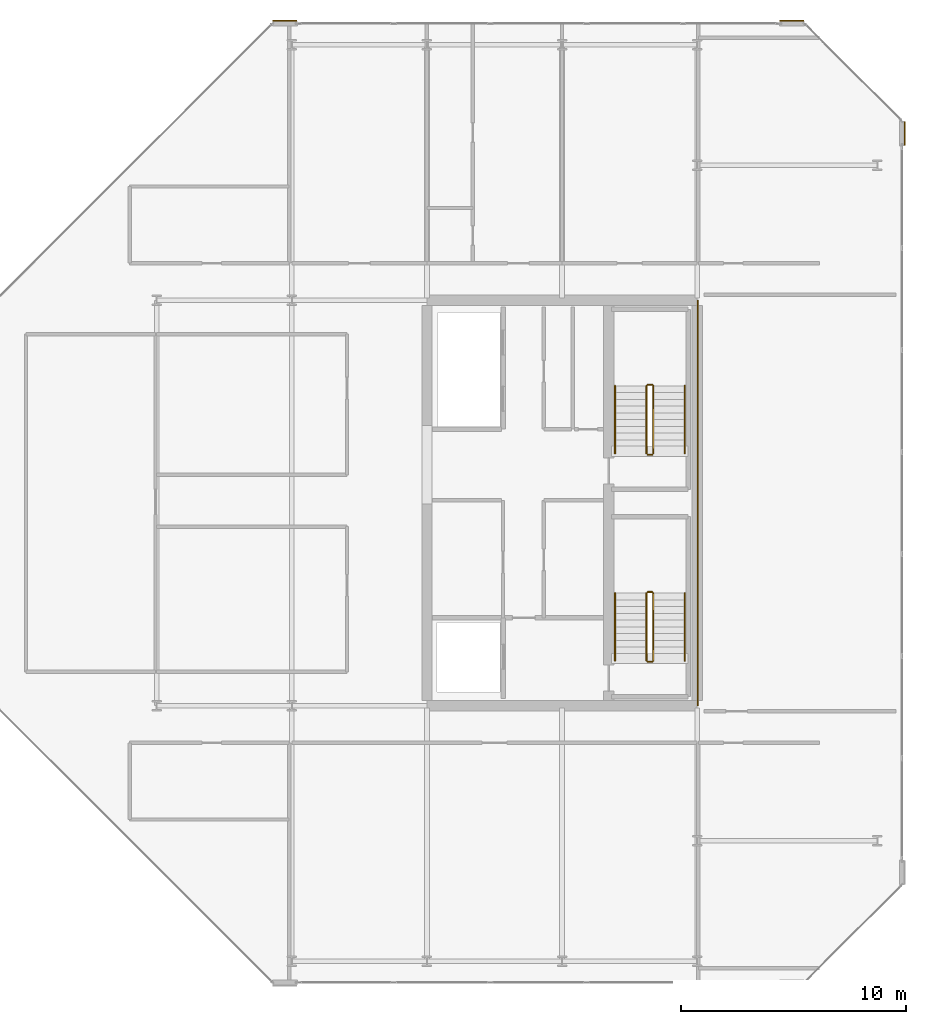
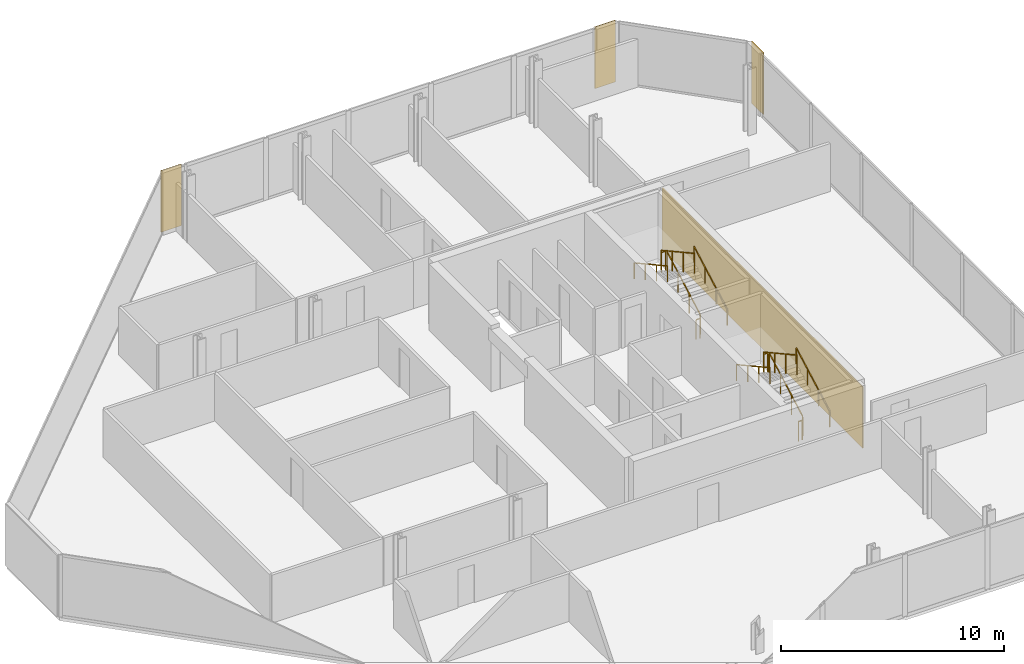
# One storey, part 17 of 17: 12 railings, 4 coverings.
"""IFC4 building model written with IfcOpenShell, lengths in metres."""

from ifc_helpers import new_model, si_unit, direction, frame, origin, origin_2d, place, context, subcontext, project, spatial, rectangle, extrude, material, layer, layer_set, type_object, element, save


model = new_model("IFC4")

# Units and contexts
model_context = context("Model", 3, precision=1e-05, world=origin(), true_north=direction((0.0, 1.0)))
body_context = subcontext(model_context, "Body", "Model", "MODEL_VIEW")
ifc_project = project(units=[si_unit("LENGTHUNIT", "METRE"), si_unit("AREAUNIT", "SQUARE_METRE"), si_unit("VOLUMEUNIT", "CUBIC_METRE"), si_unit("PLANEANGLEUNIT", "RADIAN"), si_unit("MASSUNIT", "GRAM", prefix="KILO")], contexts=[model_context])

# Site, building, storey
site_placement = place(None, origin())
site = spatial("IfcSite", under=ifc_project, at=site_placement, CompositionType="ELEMENT")
building_placement = place(site_placement, origin())
building = spatial("IfcBuilding", under=site, at=building_placement, Name="Tanjung Sevakor Pilgrim Tower", CompositionType="ELEMENT")
storey_placement = place(building_placement, frame((0.0, 0.0, 264.330078125)))
storey = spatial("IfcBuildingStorey", under=building, at=storey_placement, Name="L74", CompositionType="ELEMENT", Elevation=264.330078125)

# Coverings
ifc_material_1 = material(Name="Reconstructed Limestone Cladding", Category="masonry")
ifc_layer = layer(ifc_material_1, 0.044921875)
ifc_layer_set = layer_set([ifc_layer], Name="COV-CLAD-LIMESTONE")
covering_type = type_object("IfcCoveringType", Name="COV-CLAD-LIMESTONE", PredefinedType="CLADDING", material=ifc_layer_set)
for number, where, z_axis, x_axis, name in (
    (1, (99.222412109375, 50.00439453125, 0.019775390625), (0.0, 0.0, 1.0), (0.0, 1.0, 0.0), "L74 Warm Limestone Wall Cladding EW-CRN2-L74-EAST-2-1"),
    (2, (94.204345703125, 55.0224609375, 0.019775390625), (0.0, 0.0, 1.0), (-1.0, 0.0, 0.0), "L74 Warm Limestone Wall Cladding EW-CRN1-L74-EAST-4-1"),
    (3, (71.695556640625, 55.0224609375, 0.019775390625), (0.0, 0.0, 1.0), (-1.0, 0.0, 0.0), "L74 Warm Limestone Wall Cladding EW-CRN2-L74-EAST-4-1"),
):
    element("IfcCovering", number, at=place(storey_placement, frame(where, z_axis=z_axis, x_axis=x_axis)), inside=storey, type_object=covering_type, Name=name, PredefinedType="CLADDING", context=body_context, shape_type="SweptSolid", body=[
        extrude(rectangle(XDim=1.06005859375, YDim=0.044921875, at=origin_2d()), origin(), (0.0, 0.0, 1.0), 3.3701171875),
    ])
covering_placement = place(storey_placement, frame((90.0224609375, 33.60009765625, 0.019775390625), z_axis=(0.0, 0.0, 1.0), x_axis=(1.0, 0.0, 0.0)))
element("IfcCovering", 4, at=covering_placement, inside=storey, type_object=covering_type, Name="L74 Expressed Core Warm Limestone Cladding E", PredefinedType="CLADDING", context=body_context, shape_type="SweptSolid", body=[
    extrude(rectangle(XDim=0.044921875, YDim=18.0, at=origin_2d()), origin(), (0.0, 0.0, 1.0), 3.3701171875),
])

# Railings
ifc_material_2 = material(Name="Steel S355J2", Category="steel")
railing_type_1 = type_object("IfcRailingType", Name="RL-STAIR-GUARD", PredefinedType="GUARDRAIL", material=ifc_material_2)
railing_1_placement = place(storey_placement, frame((88.050048828125, 26.60009765625, 0.1650390625)))
element("IfcRailing", 5, at=railing_1_placement, inside=storey, type_object=railing_type_1, Name="L74 TS-E1 stair guard 1", PredefinedType="GUARDRAIL", context=body_context, shape_type="SweptSolid", body=[
    extrude(rectangle(XDim=0.0479, YDim=0.0479), frame((0.0, 0.0, 1.076171875), z_axis=(0.0, 0.876227952683, 0.48189685093), x_axis=(-1.0, 0.0, 0.0)), (0.0, 0.0, 1.0), 3.423828125),
    extrude(rectangle(XDim=0.042, YDim=0.042), origin(), (0.0, 0.0, 1.0), 1.052001953125),
    extrude(rectangle(XDim=0.042, YDim=0.042), frame((0.0, 1.0, 0.550048828125)), (0.0, 0.0, 1.0), 1.052001953125),
    extrude(rectangle(XDim=0.042, YDim=0.042), frame((0.0, 2.0, 1.099853515625)), (0.0, 0.0, 1.0), 1.052001953125),
    extrude(rectangle(XDim=0.042, YDim=0.042), frame((0.0, 3.0, 1.64990234375)), (0.0, 0.0, 1.0), 1.052001953125),
])
railing_2_placement = place(storey_placement, frame((88.0, 29.64990234375, 1.81494140625)))
element("IfcRailing", 6, at=railing_2_placement, inside=storey, type_object=railing_type_1, Name="L74 TS-E1 stair guard 2", PredefinedType="GUARDRAIL", context=body_context, shape_type="SweptSolid", body=[
    extrude(rectangle(XDim=0.0479, YDim=0.0479), frame((0.0, 0.0, 1.076171875), z_axis=(-1.0, 0.0, 0.0), x_axis=(0.0, -1.0, 0.0)), (0.0, 0.0, 1.0), 0.199951171875),
    extrude(rectangle(XDim=0.042, YDim=0.042), origin(), (0.0, 0.0, 1.0), 1.052001953125),
    extrude(rectangle(XDim=0.042, YDim=0.042), frame((-0.199951171875, 0.0, 0.0)), (0.0, 0.0, 1.0), 1.052001953125),
])
railing_3_placement = place(storey_placement, frame((87.75, 29.60009765625, 1.97998046875)))
element("IfcRailing", 7, at=railing_3_placement, inside=storey, type_object=railing_type_1, Name="L74 TS-E1 stair guard 3", PredefinedType="GUARDRAIL", context=body_context, shape_type="SweptSolid", body=[
    extrude(rectangle(XDim=0.0479, YDim=0.0479), frame((0.0, 0.0, 1.076171875), z_axis=(0.0, -0.876227952683, 0.48189685093), x_axis=(1.0, 0.0, 0.0)), (0.0, 0.0, 1.0), 3.423828125),
    extrude(rectangle(XDim=0.042, YDim=0.042), origin(), (0.0, 0.0, 1.0), 1.052001953125),
    extrude(rectangle(XDim=0.042, YDim=0.042), frame((0.0, -1.0, 0.550048828125)), (0.0, 0.0, 1.0), 1.052001953125),
    extrude(rectangle(XDim=0.042, YDim=0.042), frame((0.0, -2.0, 1.099853515625)), (0.0, 0.0, 1.0), 1.052001953125),
    extrude(rectangle(XDim=0.042, YDim=0.042), frame((0.0, -3.0, 1.64990234375)), (0.0, 0.0, 1.0), 1.052001953125),
])
railing_4_placement = place(storey_placement, frame((88.0, 26.550048828125, 0.0)))
element("IfcRailing", 8, at=railing_4_placement, inside=storey, type_object=railing_type_1, Name="L74 TS-E1 stair guard 4", PredefinedType="GUARDRAIL", context=body_context, shape_type="SweptSolid", body=[
    extrude(rectangle(XDim=0.0479, YDim=0.0479), frame((0.0, 0.0, 1.076171875), z_axis=(-1.0, 0.0, 0.0), x_axis=(0.0, -1.0, 0.0)), (0.0, 0.0, 1.0), 0.199951171875),
    extrude(rectangle(XDim=0.042, YDim=0.042), origin(), (0.0, 0.0, 1.0), 1.052001953125),
    extrude(rectangle(XDim=0.042, YDim=0.042), frame((-0.199951171875, 0.0, 0.0)), (0.0, 0.0, 1.0), 1.052001953125),
])
railing_5_placement = place(storey_placement, frame((88.050048828125, 35.800048828125, 0.1650390625)))
element("IfcRailing", 9, at=railing_5_placement, inside=storey, type_object=railing_type_1, Name="L74 TS-E2 stair guard 1", PredefinedType="GUARDRAIL", context=body_context, shape_type="SweptSolid", body=[
    extrude(rectangle(XDim=0.0479, YDim=0.0479), frame((0.0, 0.0, 1.076171875), z_axis=(0.0, 0.876227952683, 0.48189685093), x_axis=(-1.0, 0.0, 0.0)), (0.0, 0.0, 1.0), 3.423828125),
    extrude(rectangle(XDim=0.042, YDim=0.042), origin(), (0.0, 0.0, 1.0), 1.052001953125),
    extrude(rectangle(XDim=0.042, YDim=0.042), frame((0.0, 1.0, 0.550048828125)), (0.0, 0.0, 1.0), 1.052001953125),
    extrude(rectangle(XDim=0.042, YDim=0.042), frame((0.0, 2.0, 1.099853515625)), (0.0, 0.0, 1.0), 1.052001953125),
    extrude(rectangle(XDim=0.042, YDim=0.042), frame((0.0, 3.0, 1.64990234375)), (0.0, 0.0, 1.0), 1.052001953125),
])
railing_6_placement = place(storey_placement, frame((88.0, 38.85009765625, 1.81494140625)))
element("IfcRailing", 10, at=railing_6_placement, inside=storey, type_object=railing_type_1, Name="L74 TS-E2 stair guard 2", PredefinedType="GUARDRAIL", context=body_context, shape_type="SweptSolid", body=[
    extrude(rectangle(XDim=0.0479, YDim=0.0479), frame((0.0, 0.0, 1.076171875), z_axis=(-1.0, 0.0, 0.0), x_axis=(0.0, -1.0, 0.0)), (0.0, 0.0, 1.0), 0.199951171875),
    extrude(rectangle(XDim=0.042, YDim=0.042), origin(), (0.0, 0.0, 1.0), 1.052001953125),
    extrude(rectangle(XDim=0.042, YDim=0.042), frame((-0.199951171875, 0.0, 0.0)), (0.0, 0.0, 1.0), 1.052001953125),
])
railing_7_placement = place(storey_placement, frame((87.75, 38.800048828125, 1.97998046875)))
element("IfcRailing", 11, at=railing_7_placement, inside=storey, type_object=railing_type_1, Name="L74 TS-E2 stair guard 3", PredefinedType="GUARDRAIL", context=body_context, shape_type="SweptSolid", body=[
    extrude(rectangle(XDim=0.0479, YDim=0.0479), frame((0.0, 0.0, 1.076171875), z_axis=(0.0, -0.876227952683, 0.48189685093), x_axis=(1.0, 0.0, 0.0)), (0.0, 0.0, 1.0), 3.423828125),
    extrude(rectangle(XDim=0.042, YDim=0.042), origin(), (0.0, 0.0, 1.0), 1.052001953125),
    extrude(rectangle(XDim=0.042, YDim=0.042), frame((0.0, -1.0, 0.550048828125)), (0.0, 0.0, 1.0), 1.052001953125),
    extrude(rectangle(XDim=0.042, YDim=0.042), frame((0.0, -2.0, 1.099853515625)), (0.0, 0.0, 1.0), 1.052001953125),
    extrude(rectangle(XDim=0.042, YDim=0.042), frame((0.0, -3.0, 1.64990234375)), (0.0, 0.0, 1.0), 1.052001953125),
])
railing_8_placement = place(storey_placement, frame((88.0, 35.75, 0.0)))
element("IfcRailing", 12, at=railing_8_placement, inside=storey, type_object=railing_type_1, Name="L74 TS-E2 stair guard 4", PredefinedType="GUARDRAIL", context=body_context, shape_type="SweptSolid", body=[
    extrude(rectangle(XDim=0.0479, YDim=0.0479), frame((0.0, 0.0, 1.076171875), z_axis=(-1.0, 0.0, 0.0), x_axis=(0.0, -1.0, 0.0)), (0.0, 0.0, 1.0), 0.199951171875),
    extrude(rectangle(XDim=0.042, YDim=0.042), origin(), (0.0, 0.0, 1.0), 1.052001953125),
    extrude(rectangle(XDim=0.042, YDim=0.042), frame((-0.199951171875, 0.0, 0.0)), (0.0, 0.0, 1.0), 1.052001953125),
])
ifc_material_3 = material(Name="Steel S355J2", Category="steel")
railing_type_2 = type_object("IfcRailingType", Name="RL-STAIR-HAND", PredefinedType="HANDRAIL", material=ifc_material_3)
railing_9_placement = place(storey_placement, frame((89.449951171875, 26.60009765625, 0.1650390625)))
element("IfcRailing", 13, at=railing_9_placement, inside=storey, type_object=railing_type_2, Name="L74 TS-E1 stair handrail 1", PredefinedType="HANDRAIL", context=body_context, shape_type="SweptSolid", body=[
    extrude(rectangle(XDim=0.0479, YDim=0.0479), frame((0.0, 0.0, 0.8759765625), z_axis=(0.0, 0.876227952683, 0.48189685093), x_axis=(-1.0, 0.0, 0.0)), (0.0, 0.0, 1.0), 3.423828125),
    extrude(rectangle(XDim=0.042, YDim=0.042), origin(), (0.0, 0.0, 1.0), 0.851806640625),
    extrude(rectangle(XDim=0.042, YDim=0.042), frame((0.0, 1.0, 0.550048828125)), (0.0, 0.0, 1.0), 0.851806640625),
    extrude(rectangle(XDim=0.042, YDim=0.042), frame((0.0, 2.0, 1.099853515625)), (0.0, 0.0, 1.0), 0.851806640625),
    extrude(rectangle(XDim=0.042, YDim=0.042), frame((0.0, 3.0, 1.64990234375)), (0.0, 0.0, 1.0), 0.851806640625),
])
railing_10_placement = place(storey_placement, frame((86.35009765625, 29.60009765625, 1.97998046875)))
element("IfcRailing", 14, at=railing_10_placement, inside=storey, type_object=railing_type_2, Name="L74 TS-E1 stair handrail 2", PredefinedType="HANDRAIL", context=body_context, shape_type="SweptSolid", body=[
    extrude(rectangle(XDim=0.0479, YDim=0.0479), frame((0.0, 0.0, 0.8759765625), z_axis=(0.0, -0.876227952683, 0.48189685093), x_axis=(1.0, 0.0, 0.0)), (0.0, 0.0, 1.0), 3.423828125),
    extrude(rectangle(XDim=0.042, YDim=0.042), origin(), (0.0, 0.0, 1.0), 0.851806640625),
    extrude(rectangle(XDim=0.042, YDim=0.042), frame((0.0, -1.0, 0.550048828125)), (0.0, 0.0, 1.0), 0.851806640625),
    extrude(rectangle(XDim=0.042, YDim=0.042), frame((0.0, -2.0, 1.099853515625)), (0.0, 0.0, 1.0), 0.851806640625),
    extrude(rectangle(XDim=0.042, YDim=0.042), frame((0.0, -3.0, 1.64990234375)), (0.0, 0.0, 1.0), 0.851806640625),
])
railing_11_placement = place(storey_placement, frame((89.449951171875, 35.800048828125, 0.1650390625)))
element("IfcRailing", 15, at=railing_11_placement, inside=storey, type_object=railing_type_2, Name="L74 TS-E2 stair handrail 1", PredefinedType="HANDRAIL", context=body_context, shape_type="SweptSolid", body=[
    extrude(rectangle(XDim=0.0479, YDim=0.0479), frame((0.0, 0.0, 0.8759765625), z_axis=(0.0, 0.876227952683, 0.48189685093), x_axis=(-1.0, 0.0, 0.0)), (0.0, 0.0, 1.0), 3.423828125),
    extrude(rectangle(XDim=0.042, YDim=0.042), origin(), (0.0, 0.0, 1.0), 0.851806640625),
    extrude(rectangle(XDim=0.042, YDim=0.042), frame((0.0, 1.0, 0.550048828125)), (0.0, 0.0, 1.0), 0.851806640625),
    extrude(rectangle(XDim=0.042, YDim=0.042), frame((0.0, 2.0, 1.099853515625)), (0.0, 0.0, 1.0), 0.851806640625),
    extrude(rectangle(XDim=0.042, YDim=0.042), frame((0.0, 3.0, 1.64990234375)), (0.0, 0.0, 1.0), 0.851806640625),
])
railing_12_placement = place(storey_placement, frame((86.35009765625, 38.800048828125, 1.97998046875)))
element("IfcRailing", 16, at=railing_12_placement, inside=storey, type_object=railing_type_2, Name="L74 TS-E2 stair handrail 2", PredefinedType="HANDRAIL", context=body_context, shape_type="SweptSolid", body=[
    extrude(rectangle(XDim=0.0479, YDim=0.0479), frame((0.0, 0.0, 0.8759765625), z_axis=(0.0, -0.876227952683, 0.48189685093), x_axis=(1.0, 0.0, 0.0)), (0.0, 0.0, 1.0), 3.423828125),
    extrude(rectangle(XDim=0.042, YDim=0.042), origin(), (0.0, 0.0, 1.0), 0.851806640625),
    extrude(rectangle(XDim=0.042, YDim=0.042), frame((0.0, -1.0, 0.550048828125)), (0.0, 0.0, 1.0), 0.851806640625),
    extrude(rectangle(XDim=0.042, YDim=0.042), frame((0.0, -2.0, 1.099853515625)), (0.0, 0.0, 1.0), 0.851806640625),
    extrude(rectangle(XDim=0.042, YDim=0.042), frame((0.0, -3.0, 1.64990234375)), (0.0, 0.0, 1.0), 0.851806640625),
])

save(model, "model.ifc")
